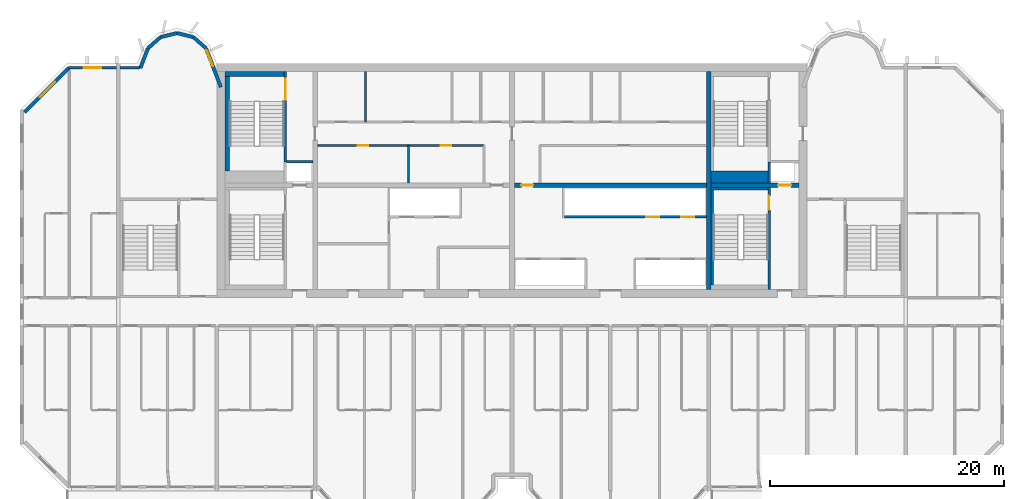
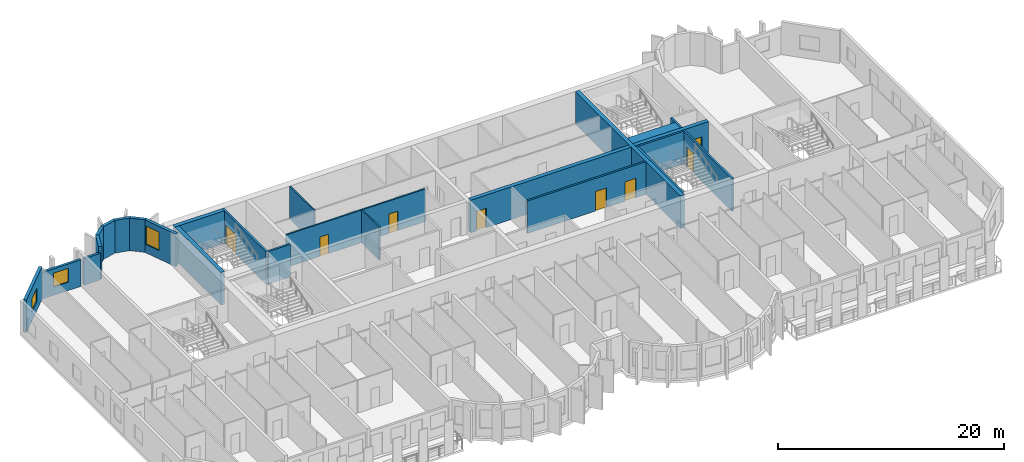
# One storey, part 7 of 13: 25 walls, 8 doors, 3 windows, 11 openings.
"""IFC4 building model written with IfcOpenShell, lengths in metres."""

from ifc_helpers import new_model, si_unit, direction, frame, frame_2d, origin, place, context, subcontext, project, spatial, rectangle, extrude, source, transform, mapped, material, layer, layer_set, type_object, element, fill, save


model = new_model("IFC4")

# Units and contexts
model_context = context("Model", 3, precision=1e-05, world=origin(), true_north=direction((0.0, 1.0)))
body_context = subcontext(model_context, "Body", "Model", "MODEL_VIEW")
ifc_project = project(units=[si_unit("LENGTHUNIT", "METRE"), si_unit("AREAUNIT", "SQUARE_METRE"), si_unit("VOLUMEUNIT", "CUBIC_METRE"), si_unit("PLANEANGLEUNIT", "RADIAN"), si_unit("MASSUNIT", "GRAM", prefix="KILO")], contexts=[model_context])

# Site, building, storey
site_placement = place(None, origin())
site = spatial("IfcSite", under=ifc_project, at=site_placement, CompositionType="ELEMENT")
building_placement = place(site_placement, origin())
building = spatial("IfcBuilding", under=site, at=building_placement, Name="Vanashikhar Sky Hotel", CompositionType="ELEMENT")
storey_placement = place(building_placement, frame((0.0, 0.0, 174.39990234375)))
storey = spatial("IfcBuildingStorey", under=building, at=storey_placement, Name="L42", CompositionType="ELEMENT", Elevation=174.39990234375)

# Wall
ifc_material_1 = material(Name="Concrete M60", Category="concrete")
ifc_layer_1 = layer(ifc_material_1, 0.39990234375)
ifc_layer_set_1 = layer_set([ifc_layer_1], Name="RC core inner wall 400 Concrete M60")
wall_type_1 = type_object("IfcWallType", Name="RC core inner wall 400 Concrete M60", PredefinedType="SHEAR", material=ifc_layer_set_1)
shared_shape_1 = source(origin(), body_context, "Body", "SweptSolid", [
    extrude(rectangle(XDim=18.60009765625, YDim=0.39990234375, at=frame_2d((9.300048828125, 0.0))), origin(), (0.0, 0.0, 1.0), 3.52001953125),
])
wall_1_placement = place(storey_placement, frame((67.199951171875, 22.699951171875, 0.0), z_axis=(0.0, 0.0, 1.0), x_axis=(0.0, 1.0, 0.0)))
element("IfcWall", 1, at=wall_1_placement, inside=storey, type_object=wall_type_1, Name="KW-L42-KX3", PredefinedType="SHEAR", context=body_context, shape_type="MappedRepresentation", body=[
    mapped(shared_shape_1, transform((0.0, 0.0, 0.0), scale=1.0)),
])

# Wall, opening, door
shared_shape_2 = source(origin(), body_context, "Body", "SweptSolid", [
    extrude(rectangle(XDim=7.5, YDim=0.39990234375, at=frame_2d((3.75, 0.0))), origin(), (0.0, 0.0, 1.0), 3.52001953125),
])
wall_2_placement = place(storey_placement, frame((67.39990234375, 31.60009765625, 0.0), z_axis=(0.0, 0.0, 1.0), x_axis=(1.0, 0.0, 0.0)))
wall_2 = element("IfcWall", 2, at=wall_2_placement, inside=storey, type_object=wall_type_1, Name="KW-L42-KY4", PredefinedType="SHEAR", context=body_context, shape_type="MappedRepresentation", body=[
    mapped(shared_shape_2, transform((0.0, 0.0, 0.0), scale=1.0)),
])
shared_shape_3 = source(origin(), body_context, "Body", "SweptSolid", [
    extrude(rectangle(XDim=1.10009765625, YDim=2.10009765625, at=frame_2d((0.550048828125, 1.050048828125))), frame((0.0, 0.2099609375, 0.0), z_axis=(0.0, -1.0, 0.0), x_axis=(1.0, 0.0, 0.0)), (0.0, 0.0, 1.0), 0.419921875),
])
opening_1_placement = place(wall_2_placement, frame((5.72509765625, 0.0, 0.0)))
opening_1 = element("IfcOpeningElement", 3, at=opening_1_placement, cuts=wall_2, Name="Opening LD", PredefinedType="OPENING", context=body_context, shape_type="MappedRepresentation", body=[
    mapped(shared_shape_3, transform((0.0, 0.0, 0.0), scale=1.0)),
])
ifc_material_2 = material(Name="Stainless steel", Category="steel")
door_type_1 = type_object("IfcDoorType", Name="Lift landing door 1100", OperationType="NOTDEFINED", PredefinedType="DOOR", material=ifc_material_2)
shared_shape_4 = source(origin(), body_context, "Body", "SweptSolid", [
    extrude(rectangle(XDim=1.10009765625, YDim=2.10009765625, at=frame_2d((0.550048828125, 1.050048828125))), frame((0.0, 0.02490234375, 0.0), z_axis=(0.0, -1.0, 0.0), x_axis=(1.0, 0.0, 0.0)), (0.0, 0.0, 1.0), 0.050048828125),
])
door_1_placement = place(opening_1_placement, origin())
door_1 = element("IfcDoor", 4, at=door_1_placement, inside=storey, type_object=door_type_1, Name="Lift landing door 1100", OperationType="SLIDING_TO_LEFT", OverallHeight=2.10009765625, OverallWidth=1.10009765625, PredefinedType="DOOR", context=body_context, shape_type="MappedRepresentation", body=[
    mapped(shared_shape_4, transform((0.0, 0.0, 0.0), scale=1.0)),
])
fill(opening_1, door_1)

shared_shape_5 = source(origin(), body_context, "Body", "SweptSolid", [
    extrude(rectangle(XDim=16.39990234375, YDim=0.39990234375, at=frame_2d((8.199951171875, 0.0))), origin(), (0.0, 0.0, 1.0), 3.52001953125),
])
wall_3_placement = place(storey_placement, frame((50.60009765625, 31.60009765625, 0.0), z_axis=(0.0, 0.0, 1.0), x_axis=(1.0, 0.0, 0.0)))
wall_3 = element("IfcWall", 5, at=wall_3_placement, inside=storey, type_object=wall_type_1, Name="KW-L42-KY3", PredefinedType="SHEAR", context=body_context, shape_type="MappedRepresentation", body=[
    mapped(shared_shape_5, transform((0.0, 0.0, 0.0), scale=1.0)),
])
shared_shape_6 = source(origin(), body_context, "Body", "SweptSolid", [
    extrude(rectangle(XDim=1.0, YDim=2.10009765625, at=frame_2d((0.5, 1.050048828125))), frame((0.0, 0.2099609375, 0.0), z_axis=(0.0, -1.0, 0.0), x_axis=(1.0, 0.0, 0.0)), (0.0, 0.0, 1.0), 0.419921875),
])
opening_2_placement = place(wall_3_placement, frame((0.60009765625, 0.0, 0.0)))
opening_2 = element("IfcOpeningElement", 6, at=opening_2_placement, cuts=wall_3, Name="Opening DC-4", PredefinedType="OPENING", context=body_context, shape_type="MappedRepresentation", body=[
    mapped(shared_shape_6, transform((0.0, 0.0, 0.0), scale=1.0)),
])
ifc_material_3 = material(Name="Steel", Category="steel")
door_type_2 = type_object("IfcDoorType", Name="Service door 1000 FD60", OperationType="NOTDEFINED", PredefinedType="DOOR", material=ifc_material_3)
shared_shape_7 = source(origin(), body_context, "Body", "SweptSolid", [
    extrude(rectangle(XDim=1.0, YDim=2.10009765625, at=frame_2d((0.5, 1.050048828125))), frame((0.0, 0.02490234375, 0.0), z_axis=(0.0, -1.0, 0.0), x_axis=(1.0, 0.0, 0.0)), (0.0, 0.0, 1.0), 0.050048828125),
])
door_2_placement = place(opening_2_placement, origin())
door_2 = element("IfcDoor", 7, at=door_2_placement, inside=storey, type_object=door_type_2, Name="Service door 1000 FD60", OperationType="SINGLE_SWING_RIGHT", OverallHeight=2.10009765625, OverallWidth=1.0, PredefinedType="DOOR", context=body_context, shape_type="MappedRepresentation", body=[
    mapped(shared_shape_7, transform((0.0, 0.0, 0.0), scale=1.0)),
])
fill(opening_2, door_2)

# Wall, opening, window
ifc_material_4 = material(Name="Concrete M50", Category="concrete")
ifc_layer_2 = layer(ifc_material_4, 0.300048828125)
ifc_layer_set_2 = layer_set([ifc_layer_2], Name="Lobe wall 300")
wall_type_2 = type_object("IfcWallType", Name="Lobe wall 300", PredefinedType="SOLIDWALL", material=ifc_layer_set_2)
shared_shape_8 = source(origin(), body_context, "Body", "SweptSolid", [
    extrude(rectangle(XDim=5.32568359375, YDim=0.300048828125, at=frame_2d((2.662841796875, 0.0))), origin(), (0.0, 0.0, 1.0), 3.52001953125),
])
wall_4_placement = place(storey_placement, frame((12.565673828125, 41.60009765625, 0.0), z_axis=(0.0, 0.0, 1.0), x_axis=(-0.707083859269, -0.707129702361, 0.0)))
wall_4 = element("IfcWall", 8, at=wall_4_placement, inside=storey, type_object=wall_type_2, Name="Corner wall", PredefinedType="SOLIDWALL", context=body_context, shape_type="MappedRepresentation", body=[
    mapped(shared_shape_8, transform((0.0, 0.0, 0.0), scale=1.0)),
])
shared_shape_9 = source(origin(), body_context, "Body", "SweptSolid", [
    extrude(rectangle(XDim=1.800048828125, YDim=1.5, at=frame_2d((0.89990234375, 0.75))), frame((0.0, 0.16015625, 0.0), z_axis=(0.0, -1.0, 0.0), x_axis=(1.0, 0.0, 0.0)), (0.0, 0.0, 1.0), 0.320068359375),
])
opening_3_placement = place(wall_4_placement, frame((1.689453125, 0.0, 0.89990234375)))
opening_3 = element("IfcOpeningElement", 9, at=opening_3_placement, cuts=wall_4, Name="Opening WN-4", PredefinedType="OPENING", context=body_context, shape_type="MappedRepresentation", body=[
    mapped(shared_shape_9, transform((0.0, 0.0, 0.0), scale=1.0)),
])
ifc_material_5 = material(Name="Glass", Category="glass")
window_type_1 = type_object("IfcWindowType", Name="Corner window 1800 x 1500", PartitioningType="SINGLE_PANEL", PredefinedType="WINDOW", material=ifc_material_5)
shared_shape_10 = source(origin(), body_context, "Body", "SweptSolid", [
    extrude(rectangle(XDim=1.800048828125, YDim=1.5, at=frame_2d((0.89990234375, 0.75))), frame((0.0, 0.030029296875, 0.0), z_axis=(0.0, -1.0, 0.0), x_axis=(1.0, 0.0, 0.0)), (0.0, 0.0, 1.0), 0.06005859375),
])
window_1_placement = place(opening_3_placement, origin())
window_1 = element("IfcWindow", 10, at=window_1_placement, inside=storey, type_object=window_type_1, Name="Window WN-4", OverallHeight=1.5, OverallWidth=1.800048828125, PartitioningType="SINGLE_PANEL", PredefinedType="WINDOW", context=body_context, shape_type="MappedRepresentation", body=[
    mapped(shared_shape_10, transform((0.0, 0.0, 0.0), scale=1.0)),
])
fill(opening_3, window_1)

shared_shape_11 = source(origin(), body_context, "Body", "SweptSolid", [
    extrude(rectangle(XDim=3.55908203125, YDim=0.300048828125, at=frame_2d((1.779541015625, 0.0))), origin(), (0.0, 0.0, 1.0), 3.52001953125),
])
wall_5_placement = place(storey_placement, frame((25.550048828125, 39.968505859375, 0.0), z_axis=(0.0, 0.0, 1.0), x_axis=(-0.35779745313, 0.933799219604, 0.0)))
wall_5 = element("IfcWall", 11, at=wall_5_placement, inside=storey, type_object=wall_type_2, Name="Lobe wall", PredefinedType="SOLIDWALL", context=body_context, shape_type="MappedRepresentation", body=[
    mapped(shared_shape_11, transform((0.0, 0.0, 0.0), scale=1.0)),
])
shared_shape_12 = source(origin(), body_context, "Body", "SweptSolid", [
    extrude(rectangle(XDim=1.5, YDim=2.0, at=frame_2d((0.75, 1.0))), frame((0.0, 0.16015625, 0.0), z_axis=(0.0, -1.0, 0.0), x_axis=(1.0, 0.0, 0.0)), (0.0, 0.0, 1.0), 0.320068359375),
])
opening_4_placement = place(wall_5_placement, frame((1.9033203125, 0.0, 0.89990234375)))
opening_4 = element("IfcOpeningElement", 12, at=opening_4_placement, cuts=wall_5, Name="Opening WN-2", PredefinedType="OPENING", context=body_context, shape_type="MappedRepresentation", body=[
    mapped(shared_shape_12, transform((0.0, 0.0, 0.0), scale=1.0)),
])
window_type_2 = type_object("IfcWindowType", Name="Lobe window 1500 x 2000", PartitioningType="SINGLE_PANEL", PredefinedType="WINDOW", material=ifc_material_5)
shared_shape_13 = source(origin(), body_context, "Body", "SweptSolid", [
    extrude(rectangle(XDim=1.5, YDim=2.0, at=frame_2d((0.75, 1.0))), frame((0.0, 0.030029296875, 0.0), z_axis=(0.0, -1.0, 0.0), x_axis=(1.0, 0.0, 0.0)), (0.0, 0.0, 1.0), 0.06005859375),
])
window_2_placement = place(opening_4_placement, origin())
window_2 = element("IfcWindow", 13, at=window_2_placement, inside=storey, type_object=window_type_2, Name="Window WN-2", OverallHeight=2.0, OverallWidth=1.5, PartitioningType="SINGLE_PANEL", PredefinedType="WINDOW", context=body_context, shape_type="MappedRepresentation", body=[
    mapped(shared_shape_13, transform((0.0, 0.0, 0.0), scale=1.0)),
])
fill(opening_4, window_2)

# Walls
shared_shape_14 = source(origin(), body_context, "Body", "SweptSolid", [
    extrude(rectangle(XDim=1.440185546875, YDim=0.300048828125, at=frame_2d((0.72021484375, 0.0))), origin(), (0.0, 0.0, 1.0), 3.52001953125),
])
wall_6_placement = place(storey_placement, frame((24.276611328125, 43.2919921875, 0.0), z_axis=(0.0, 0.0, 1.0), x_axis=(-0.749649827867, 0.661834673902, 0.0)))
element("IfcWall", 14, at=wall_6_placement, inside=storey, type_object=wall_type_2, Name="Lobe wall", PredefinedType="SOLIDWALL", context=body_context, shape_type="MappedRepresentation", body=[
    mapped(shared_shape_14, transform((0.0, 0.0, 0.0), scale=1.0)),
])
shared_shape_15 = source(origin(), body_context, "Body", "SweptSolid", [
    extrude(rectangle(XDim=1.4384765625, YDim=0.300048828125, at=frame_2d((0.71923828125, 0.0))), origin(), (0.0, 0.0, 1.0), 3.52001953125),
])
wall_7_placement = place(storey_placement, frame((23.197021484375, 44.2451171875, 0.0), z_axis=(0.0, 0.0, 1.0), x_axis=(-0.971152283879, 0.238460146601, 0.0)))
element("IfcWall", 15, at=wall_7_placement, inside=storey, type_object=wall_type_2, Name="Lobe wall", PredefinedType="SOLIDWALL", context=body_context, shape_type="MappedRepresentation", body=[
    mapped(shared_shape_15, transform((0.0, 0.0, 0.0), scale=1.0)),
])
shared_shape_16 = source(origin(), body_context, "Body", "SweptSolid", [
    extrude(rectangle(XDim=1.438720703125, YDim=0.300048828125, at=frame_2d((0.71923828125, 0.0))), origin(), (0.0, 0.0, 1.0), 3.52001953125),
])
wall_8_placement = place(storey_placement, frame((21.800048828125, 44.588134765625, 0.0), z_axis=(0.0, 0.0, 1.0), x_axis=(-0.971161932466, -0.238420848351, 0.0)))
element("IfcWall", 16, at=wall_8_placement, inside=storey, type_object=wall_type_2, Name="Lobe wall", PredefinedType="SOLIDWALL", context=body_context, shape_type="MappedRepresentation", body=[
    mapped(shared_shape_16, transform((0.0, 0.0, 0.0), scale=1.0)),
])
shared_shape_17 = source(origin(), body_context, "Body", "SweptSolid", [
    extrude(rectangle(XDim=1.43994140625, YDim=0.300048828125, at=frame_2d((0.719970703125, 0.0))), origin(), (0.0, 0.0, 1.0), 3.52001953125),
])
wall_9_placement = place(storey_placement, frame((20.40283203125, 44.2451171875, 0.0), z_axis=(0.0, 0.0, 1.0), x_axis=(-0.74957555648, -0.661918790432, 0.0)))
element("IfcWall", 17, at=wall_9_placement, inside=storey, type_object=wall_type_2, Name="Lobe wall", PredefinedType="SOLIDWALL", context=body_context, shape_type="MappedRepresentation", body=[
    mapped(shared_shape_17, transform((0.0, 0.0, 0.0), scale=1.0)),
])
shared_shape_18 = source(origin(), body_context, "Body", "SweptSolid", [
    extrude(rectangle(XDim=1.81201171875, YDim=0.300048828125, at=frame_2d((0.906005859375, 0.0))), origin(), (0.0, 0.0, 1.0), 3.52001953125),
])
wall_10_placement = place(storey_placement, frame((19.323486328125, 43.2919921875, 0.0), z_axis=(0.0, 0.0, 1.0), x_axis=(-0.357877270961, -0.93376863244, 0.0)))
element("IfcWall", 18, at=wall_10_placement, inside=storey, type_object=wall_type_2, Name="Lobe wall", PredefinedType="SOLIDWALL", context=body_context, shape_type="MappedRepresentation", body=[
    mapped(shared_shape_18, transform((0.0, 0.0, 0.0), scale=1.0)),
])

# Wall, opening, window
ifc_layer_3 = layer(ifc_material_4, 0.25)
ifc_layer_set_3 = layer_set([ifc_layer_3], Name="Rear and end board-marked wall 250")
wall_type_3 = type_object("IfcWallType", Name="Rear and end board-marked wall 250", PredefinedType="SOLIDWALL", material=ifc_layer_set_3)
shared_shape_19 = source(origin(), body_context, "Body", "SweptSolid", [
    extrude(rectangle(XDim=4.094482421875, YDim=0.25, at=frame_2d((2.04736328125, 0.0))), origin(), (0.0, 0.0, 1.0), 2.8701171875),
])
wall_11_placement = place(storey_placement, frame((16.64990234375, 41.625, 0.0), z_axis=(0.0, 0.0, 1.0), x_axis=(-1.0, 0.0, 0.0)))
wall_11 = element("IfcWall", 19, at=wall_11_placement, inside=storey, type_object=wall_type_3, Name="Rear board-marked wall", PredefinedType="SOLIDWALL", context=body_context, shape_type="MappedRepresentation", body=[
    mapped(shared_shape_19, transform((0.0, 0.0, 0.0), scale=1.0)),
])
shared_shape_20 = source(origin(), body_context, "Body", "SweptSolid", [
    extrude(rectangle(XDim=1.5, YDim=1.5, at=frame_2d((0.75, 0.75))), frame((0.0, 0.135009765625, 0.0), z_axis=(0.0, -1.0, 0.0), x_axis=(1.0, 0.0, 0.0)), (0.0, 0.0, 1.0), 0.27001953125),
])
opening_5_placement = place(wall_11_placement, frame((1.29736328125, 0.0, 0.89990234375)))
opening_5 = element("IfcOpeningElement", 20, at=opening_5_placement, cuts=wall_11, Name="Opening WN-1", PredefinedType="OPENING", context=body_context, shape_type="MappedRepresentation", body=[
    mapped(shared_shape_20, transform((0.0, 0.0, 0.0), scale=1.0)),
])
window_type_3 = type_object("IfcWindowType", Name="Window 1500 x 1500", PartitioningType="SINGLE_PANEL", PredefinedType="WINDOW", material=ifc_material_5)
shared_shape_21 = source(origin(), body_context, "Body", "SweptSolid", [
    extrude(rectangle(XDim=1.5, YDim=1.5, at=frame_2d((0.75, 0.75))), frame((0.0, 0.030029296875, 0.0), z_axis=(0.0, -1.0, 0.0), x_axis=(1.0, 0.0, 0.0)), (0.0, 0.0, 1.0), 0.06005859375),
])
window_3_placement = place(opening_5_placement, origin())
window_3 = element("IfcWindow", 21, at=window_3_placement, inside=storey, type_object=window_type_3, Name="Window WN-1", OverallHeight=1.5, OverallWidth=1.5, PartitioningType="SINGLE_PANEL", PredefinedType="WINDOW", context=body_context, shape_type="MappedRepresentation", body=[
    mapped(shared_shape_21, transform((0.0, 0.0, 0.0), scale=1.0)),
])
fill(opening_5, window_3)

# Walls
shared_shape_22 = source(origin(), body_context, "Body", "SweptSolid", [
    extrude(rectangle(XDim=1.7080078125, YDim=0.25, at=frame_2d((0.85400390625, 0.0))), origin(), (0.0, 0.0, 1.0), 2.8701171875),
])
wall_12_placement = place(storey_placement, frame((18.657958984375, 41.625, 0.0), z_axis=(0.0, 0.0, 1.0), x_axis=(-1.0, 0.0, 0.0)))
element("IfcWall", 22, at=wall_12_placement, inside=storey, type_object=wall_type_3, Name="Rear board-marked wall", PredefinedType="SOLIDWALL", context=body_context, shape_type="MappedRepresentation", body=[
    mapped(shared_shape_22, transform((0.0, 0.0, 0.0), scale=1.0)),
])
ifc_material_6 = material(Name="Concrete M40", Category="concrete")
ifc_layer_4 = layer(ifc_material_6, 0.199951171875)
ifc_layer_set_4 = layer_set([ifc_layer_4], Name="Shaft wall 200")
wall_type_4 = type_object("IfcWallType", Name="Shaft wall 200", PredefinedType="SOLIDWALL", material=ifc_layer_set_4)
shared_shape_23 = source(origin(), body_context, "Body", "SweptSolid", [
    extrude(rectangle(XDim=2.25, YDim=0.199951171875, at=frame_2d((1.125, 0.0))), origin(), (0.0, 0.0, 1.0), 3.52001953125),
])
wall_13_placement = place(storey_placement, frame((31.14990234375, 33.60009765625, 0.0), z_axis=(0.0, 0.0, 1.0), x_axis=(1.0, 0.0, 0.0)))
element("IfcWall", 23, at=wall_13_placement, inside=storey, type_object=wall_type_4, Name="Shaft wall 200", PredefinedType="SOLIDWALL", context=body_context, shape_type="MappedRepresentation", body=[
    mapped(shared_shape_23, transform((0.0, 0.0, 0.0), scale=1.0)),
])
ifc_layer_5 = layer(ifc_material_4, 0.199951171875)
ifc_layer_set_5 = layer_set([ifc_layer_5], Name="Stair infill wall 200")
wall_type_5 = type_object("IfcWallType", Name="Stair infill wall 200", PredefinedType="SOLIDWALL", material=ifc_layer_set_5)
shared_shape_24 = source(origin(), body_context, "Body", "SweptSolid", [
    extrude(rectangle(XDim=8.099853515625, YDim=0.199951171875, at=frame_2d((4.0498046875, 0.0))), origin(), (0.0, 0.0, 1.0), 3.52001953125),
])
wall_14_placement = place(storey_placement, frame((67.5, 23.10009765625, 0.0), z_axis=(0.0, 0.0, 1.0), x_axis=(0.0, 1.0, 0.0)))
element("IfcWall", 24, at=wall_14_placement, inside=storey, type_object=wall_type_5, Name="Stair infill wall 200", PredefinedType="SOLIDWALL", context=body_context, shape_type="MappedRepresentation", body=[
    mapped(shared_shape_24, transform((0.0, 0.0, 0.0), scale=1.0)),
])
ifc_material_7 = material(Name="Gypsum board partition")
ifc_layer_6 = layer(ifc_material_7, 0.14990234375)
ifc_layer_set_6 = layer_set([ifc_layer_6], Name="Service partition 150")
wall_type_6 = type_object("IfcWallType", Name="Service partition 150", PredefinedType="PARTITIONING", material=ifc_layer_set_6)
shared_shape_25 = source(origin(), body_context, "Body", "SweptSolid", [
    extrude(rectangle(XDim=3.199951171875, YDim=0.14990234375, at=frame_2d((1.60009765625, 0.0))), origin(), (0.0, 0.0, 1.0), 3.52001953125),
])
wall_15_placement = place(storey_placement, frame((41.569091796875, 31.800048828125, 0.0), z_axis=(0.0, 0.0, 1.0), x_axis=(0.0, 1.0, 0.0)))
element("IfcWall", 25, at=wall_15_placement, inside=storey, type_object=wall_type_6, Name="Service partition 150", PredefinedType="PARTITIONING", context=body_context, shape_type="MappedRepresentation", body=[
    mapped(shared_shape_25, transform((0.0, 0.0, 0.0), scale=1.0)),
])

# Wall, openings, doors
shared_shape_26 = source(origin(), body_context, "Body", "SweptSolid", [
    extrude(rectangle(XDim=14.199951171875, YDim=0.14990234375, at=frame_2d((7.10009765625, 0.0))), origin(), (0.0, 0.0, 1.0), 3.52001953125),
])
wall_16_placement = place(storey_placement, frame((33.800048828125, 35.0, 0.0), z_axis=(0.0, 0.0, 1.0), x_axis=(1.0, 0.0, 0.0)))
wall_16 = element("IfcWall", 26, at=wall_16_placement, inside=storey, type_object=wall_type_6, Name="Service partition 150", PredefinedType="PARTITIONING", context=body_context, shape_type="MappedRepresentation", body=[
    mapped(shared_shape_26, transform((0.0, 0.0, 0.0), scale=1.0)),
])
shared_shape_27 = source(origin(), body_context, "Body", "SweptSolid", [
    extrude(rectangle(XDim=0.89990234375, YDim=2.10009765625, at=frame_2d((0.449951171875, 1.050048828125))), frame((0.0, 0.0849609375, 0.0), z_axis=(0.0, -1.0, 0.0), x_axis=(1.0, 0.0, 0.0)), (0.0, 0.0, 1.0), 0.169921875),
])
opening_6_placement = place(wall_16_placement, frame((3.43408203125, 0.0, 0.0)))
opening_6 = element("IfcOpeningElement", 27, at=opening_6_placement, cuts=wall_16, Name="Opening DC-4-A", PredefinedType="OPENING", context=body_context, shape_type="MappedRepresentation", body=[
    mapped(shared_shape_27, transform((0.0, 0.0, 0.0), scale=1.0)),
])
opening_7_placement = place(wall_16_placement, frame((10.4970703125, 0.0, 0.0)))
opening_7 = element("IfcOpeningElement", 28, at=opening_7_placement, cuts=wall_16, Name="Opening DC-4-A", PredefinedType="OPENING", context=body_context, shape_type="MappedRepresentation", body=[
    mapped(shared_shape_27, transform((0.0, 0.0, 0.0), scale=1.0)),
])
door_type_3 = type_object("IfcDoorType", Name="Service door 900 FD60", OperationType="NOTDEFINED", PredefinedType="DOOR", material=ifc_material_3)
shared_shape_28 = source(origin(), body_context, "Body", "SweptSolid", [
    extrude(rectangle(XDim=0.89990234375, YDim=2.10009765625, at=frame_2d((0.449951171875, 1.050048828125))), frame((0.0, 0.02490234375, 0.0), z_axis=(0.0, -1.0, 0.0), x_axis=(1.0, 0.0, 0.0)), (0.0, 0.0, 1.0), 0.050048828125),
])
door_3_placement = place(opening_6_placement, origin())
door_3 = element("IfcDoor", 29, at=door_3_placement, inside=storey, type_object=door_type_3, Name="Service door 900 FD60", OperationType="SINGLE_SWING_LEFT", OverallHeight=2.10009765625, OverallWidth=0.89990234375, PredefinedType="DOOR", context=body_context, shape_type="MappedRepresentation", body=[
    mapped(shared_shape_28, transform((0.0, 0.0, 0.0), scale=1.0)),
])
fill(opening_6, door_3)
door_4_placement = place(opening_7_placement, origin())
door_4 = element("IfcDoor", 30, at=door_4_placement, inside=storey, type_object=door_type_3, Name="Service door 900 FD60", OperationType="SINGLE_SWING_RIGHT", OverallHeight=2.10009765625, OverallWidth=0.89990234375, PredefinedType="DOOR", context=body_context, shape_type="MappedRepresentation", body=[
    mapped(shared_shape_28, transform((0.0, 0.0, 0.0), scale=1.0)),
])
fill(opening_7, door_4)

# Wall
shared_shape_29 = source(origin(), body_context, "Body", "SweptSolid", [
    extrude(rectangle(XDim=4.300048828125, YDim=0.14990234375, at=frame_2d((2.14990234375, 0.0))), origin(), (0.0, 0.0, 1.0), 3.52001953125),
])
wall_17_placement = place(storey_placement, frame((37.89990234375, 37.0, 0.0), z_axis=(0.0, 0.0, 1.0), x_axis=(0.0, 1.0, 0.0)))
element("IfcWall", 31, at=wall_17_placement, inside=storey, type_object=wall_type_6, Name="Service partition 150", PredefinedType="PARTITIONING", context=body_context, shape_type="MappedRepresentation", body=[
    mapped(shared_shape_29, transform((0.0, 0.0, 0.0), scale=1.0)),
])

# Wall, openings, doors
shared_shape_30 = source(origin(), body_context, "Body", "SweptSolid", [
    extrude(rectangle(XDim=12.10009765625, YDim=0.199951171875, at=frame_2d((6.050048828125, 0.0))), origin(), (0.0, 0.0, 1.0), 3.52001953125),
])
wall_18_placement = place(storey_placement, frame((67.0, 28.89990234375, 0.0), z_axis=(0.0, 0.0, 1.0), x_axis=(-1.0, 0.0, 0.0)))
wall_18 = element("IfcWall", 32, at=wall_18_placement, inside=storey, type_object=wall_type_4, Name="Shaft wall 200", PredefinedType="SOLIDWALL", context=body_context, shape_type="MappedRepresentation", body=[
    mapped(shared_shape_30, transform((0.0, 0.0, 0.0), scale=1.0)),
])
shared_shape_31 = source(origin(), body_context, "Body", "SweptSolid", [
    extrude(rectangle(XDim=1.10009765625, YDim=2.10009765625, at=frame_2d((0.550048828125, 1.050048828125))), frame((0.0, 0.10986328125, 0.0), z_axis=(0.0, -1.0, 0.0), x_axis=(1.0, 0.0, 0.0)), (0.0, 0.0, 1.0), 0.219970703125),
])
opening_8_placement = place(wall_18_placement, frame((1.050048828125, 0.0, 0.0)))
opening_8 = element("IfcOpeningElement", 33, at=opening_8_placement, cuts=wall_18, Name="Opening LD", PredefinedType="OPENING", context=body_context, shape_type="MappedRepresentation", body=[
    mapped(shared_shape_31, transform((0.0, 0.0, 0.0), scale=1.0)),
])
opening_9_placement = place(wall_18_placement, frame((4.050048828125, 0.0, 0.0)))
opening_9 = element("IfcOpeningElement", 34, at=opening_9_placement, cuts=wall_18, Name="Opening LD", PredefinedType="OPENING", context=body_context, shape_type="MappedRepresentation", body=[
    mapped(shared_shape_31, transform((0.0, 0.0, 0.0), scale=1.0)),
])
door_5_placement = place(opening_8_placement, origin())
door_5 = element("IfcDoor", 35, at=door_5_placement, inside=storey, type_object=door_type_1, Name="Lift landing door 1100", OperationType="SLIDING_TO_RIGHT", OverallHeight=2.10009765625, OverallWidth=1.10009765625, PredefinedType="DOOR", context=body_context, shape_type="MappedRepresentation", body=[
    mapped(shared_shape_4, transform((0.0, 0.0, 0.0), scale=1.0)),
])
fill(opening_8, door_5)
door_6_placement = place(opening_9_placement, origin())
door_6 = element("IfcDoor", 36, at=door_6_placement, inside=storey, type_object=door_type_1, Name="Lift landing door 1100", OperationType="SLIDING_TO_LEFT", OverallHeight=2.10009765625, OverallWidth=1.10009765625, PredefinedType="DOOR", context=body_context, shape_type="MappedRepresentation", body=[
    mapped(shared_shape_4, transform((0.0, 0.0, 0.0), scale=1.0)),
])
fill(opening_9, door_6)

# Wall, opening, door
ifc_layer_7 = layer(ifc_material_4, 0.199951171875)
ifc_layer_set_7 = layer_set([ifc_layer_7], Name="Stair wall 200")
wall_type_7 = type_object("IfcWallType", Name="Stair wall 200", PredefinedType="SOLIDWALL", material=ifc_layer_set_7)
shared_shape_32 = source(origin(), body_context, "Body", "SweptSolid", [
    extrude(rectangle(XDim=8.699951171875, YDim=0.199951171875, at=frame_2d((4.35009765625, 0.0))), origin(), (0.0, 0.0, 1.0), 3.52001953125),
])
wall_19_placement = place(storey_placement, frame((72.35009765625, 22.699951171875, 0.0), z_axis=(0.0, 0.0, 1.0), x_axis=(0.0, 1.0, 0.0)))
wall_19 = element("IfcWall", 37, at=wall_19_placement, inside=storey, type_object=wall_type_7, Name="Stair wall 200", PredefinedType="SOLIDWALL", context=body_context, shape_type="MappedRepresentation", body=[
    mapped(shared_shape_32, transform((0.0, 0.0, 0.0), scale=1.0)),
])
shared_shape_33 = source(origin(), body_context, "Body", "SweptSolid", [
    extrude(rectangle(XDim=1.199951171875, YDim=2.10009765625, at=frame_2d((0.60009765625, 1.050048828125))), frame((0.0, 0.10986328125, 0.0), z_axis=(0.0, -1.0, 0.0), x_axis=(1.0, 0.0, 0.0)), (0.0, 0.0, 1.0), 0.219970703125),
])
opening_10_placement = place(wall_19_placement, frame((6.800048828125, 0.0, 0.0)))
opening_10 = element("IfcOpeningElement", 38, at=opening_10_placement, cuts=wall_19, Name="Opening DC-1", PredefinedType="OPENING", context=body_context, shape_type="MappedRepresentation", body=[
    mapped(shared_shape_33, transform((0.0, 0.0, 0.0), scale=1.0)),
])
door_type_4 = type_object("IfcDoorType", Name="Stair door 1200 FD120", OperationType="NOTDEFINED", PredefinedType="DOOR", material=ifc_material_3)
shared_shape_34 = source(origin(), body_context, "Body", "SweptSolid", [
    extrude(rectangle(XDim=1.199951171875, YDim=2.10009765625, at=frame_2d((0.60009765625, 1.050048828125))), frame((0.0, 0.02490234375, 0.0), z_axis=(0.0, -1.0, 0.0), x_axis=(1.0, 0.0, 0.0)), (0.0, 0.0, 1.0), 0.050048828125),
])
door_7_placement = place(opening_10_placement, origin())
door_7 = element("IfcDoor", 39, at=door_7_placement, inside=storey, type_object=door_type_4, Name="Stair door 1200 FD120", OperationType="SINGLE_SWING_RIGHT", OverallHeight=2.10009765625, OverallWidth=1.199951171875, PredefinedType="DOOR", context=body_context, shape_type="MappedRepresentation", body=[
    mapped(shared_shape_34, transform((0.0, 0.0, 0.0), scale=1.0)),
])
fill(opening_10, door_7)

# Wall
shared_shape_35 = source(origin(), body_context, "Body", "SweptSolid", [
    extrude(rectangle(XDim=1.800048828125, YDim=0.199951171875, at=frame_2d((0.89990234375, 0.0))), origin(), (0.0, 0.0, 1.0), 3.52001953125),
])
wall_20_placement = place(storey_placement, frame((72.35009765625, 31.800048828125, 0.0), z_axis=(0.0, 0.0, 1.0), x_axis=(0.0, 1.0, 0.0)))
element("IfcWall", 40, at=wall_20_placement, inside=storey, type_object=wall_type_4, Name="Shaft wall 200", PredefinedType="SOLIDWALL", context=body_context, shape_type="MappedRepresentation", body=[
    mapped(shared_shape_35, transform((0.0, 0.0, 0.0), scale=1.0)),
])

# Wall, opening, door
shared_shape_36 = source(origin(), body_context, "Body", "SweptSolid", [
    extrude(rectangle(XDim=7.699951171875, YDim=0.199951171875, at=frame_2d((3.85009765625, 0.0))), origin(), (0.0, 0.0, 1.0), 3.52001953125),
])
wall_21_placement = place(storey_placement, frame((31.050048828125, 33.60009765625, 0.0), z_axis=(0.0, 0.0, 1.0), x_axis=(0.0, 1.0, 0.0)))
wall_21 = element("IfcWall", 41, at=wall_21_placement, inside=storey, type_object=wall_type_7, Name="Stair wall 200", PredefinedType="SOLIDWALL", context=body_context, shape_type="MappedRepresentation", body=[
    mapped(shared_shape_36, transform((0.0, 0.0, 0.0), scale=1.0)),
])
shared_shape_37 = source(origin(), body_context, "Body", "SweptSolid", [
    extrude(rectangle(XDim=1.800048828125, YDim=2.10009765625, at=frame_2d((0.89990234375, 1.050048828125))), frame((0.0, 0.10986328125, 0.0), z_axis=(0.0, -1.0, 0.0), x_axis=(1.0, 0.0, 0.0)), (0.0, 0.0, 1.0), 0.219970703125),
])
opening_11_placement = place(wall_21_placement, frame((5.300048828125, 0.0, 0.0)))
opening_11 = element("IfcOpeningElement", 42, at=opening_11_placement, cuts=wall_21, Name="Opening DC-1-A", PredefinedType="OPENING", context=body_context, shape_type="MappedRepresentation", body=[
    mapped(shared_shape_37, transform((0.0, 0.0, 0.0), scale=1.0)),
])
door_type_5 = type_object("IfcDoorType", Name="Stair door 1800 FD120", OperationType="NOTDEFINED", PredefinedType="DOOR", material=ifc_material_3)
shared_shape_38 = source(origin(), body_context, "Body", "SweptSolid", [
    extrude(rectangle(XDim=1.800048828125, YDim=2.10009765625, at=frame_2d((0.89990234375, 1.050048828125))), frame((0.0, 0.02490234375, 0.0), z_axis=(0.0, -1.0, 0.0), x_axis=(1.0, 0.0, 0.0)), (0.0, 0.0, 1.0), 0.050048828125),
])
door_8_placement = place(opening_11_placement, origin())
door_8 = element("IfcDoor", 43, at=door_8_placement, inside=storey, type_object=door_type_5, Name="Stair door 1800 FD120", OperationType="SINGLE_SWING_RIGHT", OverallHeight=2.10009765625, OverallWidth=1.800048828125, PredefinedType="DOOR", context=body_context, shape_type="MappedRepresentation", body=[
    mapped(shared_shape_38, transform((0.0, 0.0, 0.0), scale=1.0)),
])
fill(opening_11, door_8)

# Walls
ifc_layer_8 = layer(ifc_material_4, 0.39990234375)
ifc_layer_set_8 = layer_set([ifc_layer_8], Name="Stair infill wall 400")
wall_type_8 = type_object("IfcWallType", Name="Stair infill wall 400", PredefinedType="SOLIDWALL", material=ifc_layer_set_8)
shared_shape_39 = source(origin(), body_context, "Body", "SweptSolid", [
    extrude(rectangle(XDim=5.050048828125, YDim=0.39990234375, at=frame_2d((2.52490234375, 0.0))), origin(), (0.0, 0.0, 1.0), 3.52001953125),
])
wall_22_placement = place(storey_placement, frame((25.89990234375, 41.10009765625, 0.0), z_axis=(0.0, 0.0, 1.0), x_axis=(1.0, 0.0, 0.0)))
element("IfcWall", 44, at=wall_22_placement, inside=storey, type_object=wall_type_8, Name="Stair infill wall 400", PredefinedType="SOLIDWALL", context=body_context, shape_type="MappedRepresentation", body=[
    mapped(shared_shape_39, transform((0.0, 0.0, 0.0), scale=1.0)),
])
shared_shape_40 = source(origin(), body_context, "Body", "SweptSolid", [
    extrude(rectangle(XDim=8.099853515625, YDim=0.39990234375, at=frame_2d((4.0498046875, 0.0))), origin(), (0.0, 0.0, 1.0), 3.52001953125),
])
wall_23_placement = place(storey_placement, frame((26.10009765625, 32.800048828125, 0.0), z_axis=(0.0, 0.0, 1.0), x_axis=(0.0, 1.0, 0.0)))
element("IfcWall", 45, at=wall_23_placement, inside=storey, type_object=wall_type_8, Name="Stair infill wall 400", PredefinedType="SOLIDWALL", context=body_context, shape_type="MappedRepresentation", body=[
    mapped(shared_shape_40, transform((0.0, 0.0, 0.0), scale=1.0)),
])
shared_shape_41 = source(origin(), body_context, "Body", "SweptSolid", [
    extrude(rectangle(XDim=4.85009765625, YDim=0.199951171875, at=frame_2d((2.425048828125, 0.0))), origin(), (0.0, 0.0, 1.0), 3.52001953125),
])
wall_24_placement = place(storey_placement, frame((67.39990234375, 31.300048828125, 0.0), z_axis=(0.0, 0.0, 1.0), x_axis=(1.0, 0.0, 0.0)))
element("IfcWall", 46, at=wall_24_placement, inside=storey, type_object=wall_type_5, Name="Stair infill wall 200", PredefinedType="SOLIDWALL", context=body_context, shape_type="MappedRepresentation", body=[
    mapped(shared_shape_41, transform((0.0, 0.0, 0.0), scale=1.0)),
])
ifc_layer_9 = layer(ifc_material_4, 1.0)
ifc_layer_set_9 = layer_set([ifc_layer_9], Name="Stair infill wall 1000")
wall_type_9 = type_object("IfcWallType", Name="Stair infill wall 1000", PredefinedType="SOLIDWALL", material=ifc_layer_set_9)
shared_shape_42 = source(origin(), body_context, "Body", "SweptSolid", [
    extrude(rectangle(XDim=4.85009765625, YDim=1.0, at=frame_2d((2.425048828125, 0.0))), origin(), (0.0, 0.0, 1.0), 3.52001953125),
])
wall_25_placement = place(storey_placement, frame((67.39990234375, 32.300048828125, 0.0), z_axis=(0.0, 0.0, 1.0), x_axis=(1.0, 0.0, 0.0)))
element("IfcWall", 47, at=wall_25_placement, inside=storey, type_object=wall_type_9, Name="Stair infill wall 1000", PredefinedType="SOLIDWALL", context=body_context, shape_type="MappedRepresentation", body=[
    mapped(shared_shape_42, transform((0.0, 0.0, 0.0), scale=1.0)),
])

save(model, "model.ifc")
